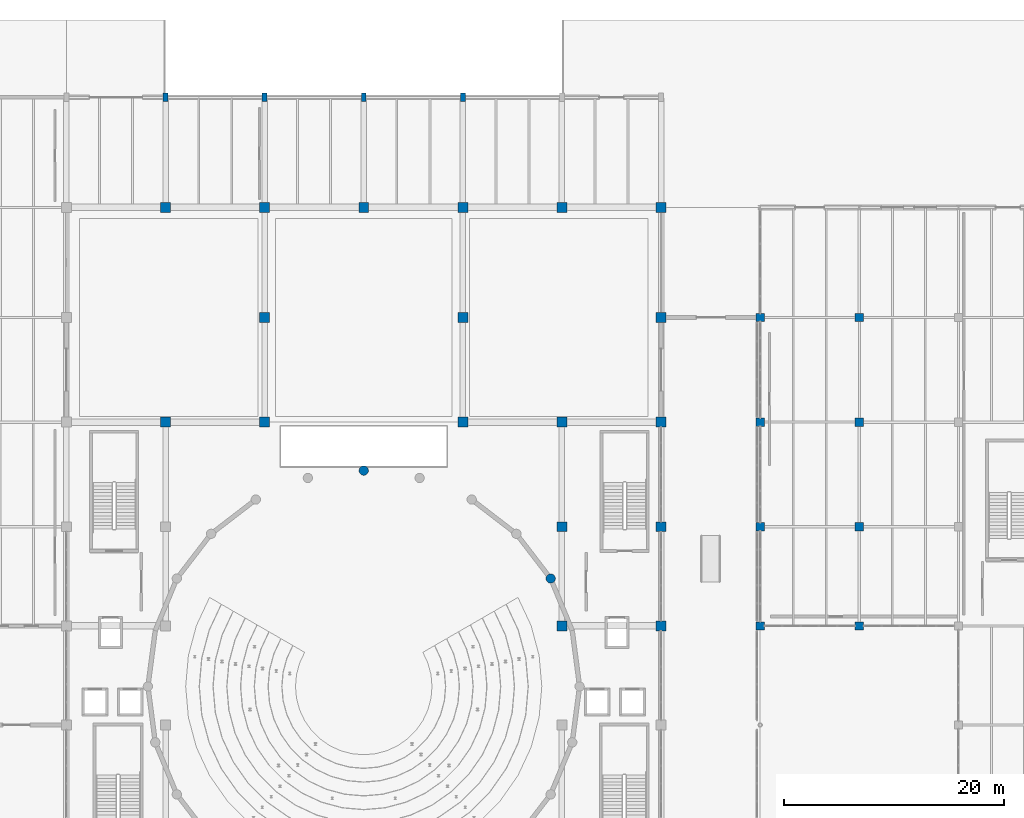
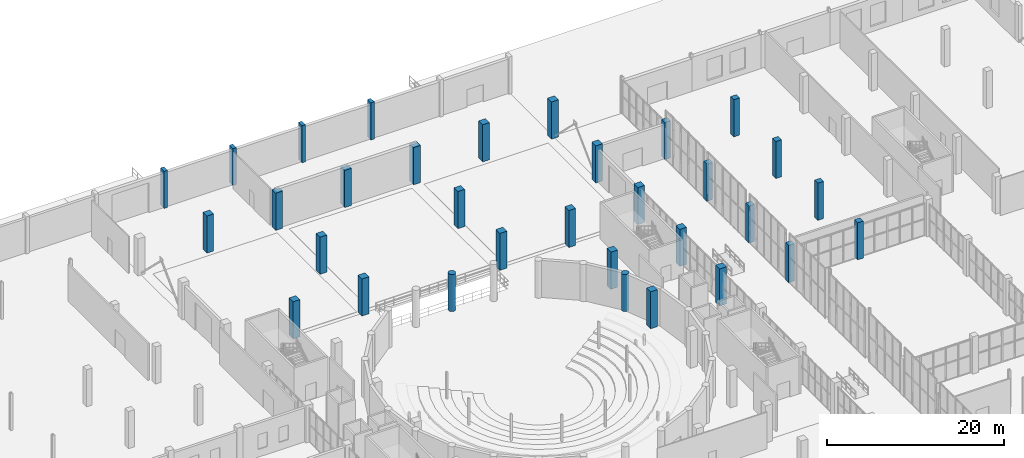
# One storey, part 23 of 103: 32 columns.
"""IFC4 building model written with IfcOpenShell, lengths in metres."""

from ifc_helpers import new_model, si_unit, direction, frame, origin, origin_2d, place, context, subcontext, project, spatial, rectangle, circle, extrude, material, material_profile, profile_set, type_object, element, save


model = new_model("IFC4")

# Units and contexts
model_context = context("Model", 3, precision=1e-05, world=origin(), true_north=direction((0.0, 1.0)))
body_context = subcontext(model_context, "Body", "Model", "MODEL_VIEW")
ifc_project = project(units=[si_unit("LENGTHUNIT", "METRE"), si_unit("AREAUNIT", "SQUARE_METRE"), si_unit("VOLUMEUNIT", "CUBIC_METRE"), si_unit("PLANEANGLEUNIT", "RADIAN"), si_unit("MASSUNIT", "GRAM", prefix="KILO")], contexts=[model_context])

# Site, building, storey
site_placement = place(None, origin())
site = spatial("IfcSite", under=ifc_project, at=site_placement, CompositionType="ELEMENT")
building_placement = place(site_placement, origin())
building = spatial("IfcBuilding", under=site, at=building_placement, Name="Marnock Terrace Opera House", CompositionType="ELEMENT")
storey_placement = place(building_placement, origin())
storey = spatial("IfcBuildingStorey", under=building, at=storey_placement, Name="L00", CompositionType="ELEMENT", Elevation=0.0)

# Columns
ifc_material_1 = material(Name="Concrete N50 (f'c = 50 MPa)", Category="concrete")
ifc_material_profile_1 = material_profile(ifc_material_1, circle(Radius=0.425048828125, at=origin_2d()))
ifc_profile_set_1 = profile_set([ifc_material_profile_1], Name="Concrete N50 (f'c = 50 MPa)")
column_type_1 = type_object("IfcColumnType", Name="COL-DRUM-850", PredefinedType="COLUMN", material=ifc_profile_set_1)
for number, where, z_axis, x_axis, name in (
    (1, (98.97412109375, 70.300048828125, 0.0), (0.0, 0.0, 1.0), (1.0, 0.0, 0.0), "L00 auditorium drum pier 3"),
    (2, (82.0, 80.10009765625, 0.0), (0.0, 0.0, 1.0), (1.0, 0.0, 0.0), "L00 auditorium drum pier 7"),
):
    element("IfcColumn", number, at=place(storey_placement, frame(where, z_axis=z_axis, x_axis=x_axis)), inside=storey, type_object=column_type_1, Name=name, PredefinedType="COLUMN", context=body_context, shape_type="SweptSolid", body=[
        extrude(circle(Radius=0.425048828125, at=origin_2d()), origin(), (0.0, 0.0, 1.0), 5.1201171875),
    ])
ifc_material_2 = material(Name="Concrete N40 (f'c = 40 MPa)", Category="concrete")
ifc_material_profile_2 = material_profile(ifc_material_2, rectangle(XDim=0.449951171875, YDim=0.800048828125, at=origin_2d()))
ifc_profile_set_2 = profile_set([ifc_material_profile_2], Name="Concrete N40 (f'c = 40 MPa)")
column_type_2 = type_object("IfcColumnType", Name="COL-PIL-800", PredefinedType="PILASTER", material=ifc_profile_set_2)
for number, where, z_axis, x_axis, name in (
    (3, (64.0, 114.0, 0.0), (0.0, 0.0, 1.0), (1.0, 0.0, 0.0), "L00 column at (64.0, 114.0)"),
    (4, (73.0, 114.0, 0.0), (0.0, 0.0, 1.0), (1.0, 0.0, 0.0), "L00 column at (73.0, 114.0)"),
    (5, (82.0, 114.0, 0.0), (0.0, 0.0, 1.0), (1.0, 0.0, 0.0), "L00 column at (82.0, 114.0)"),
    (6, (91.0, 114.0, 0.0), (0.0, 0.0, 1.0), (1.0, 0.0, 0.0), "L00 column at (91.0, 114.0)"),
):
    element("IfcColumn", number, at=place(storey_placement, frame(where, z_axis=z_axis, x_axis=x_axis)), inside=storey, type_object=column_type_2, Name=name, PredefinedType="PILASTER", context=body_context, shape_type="SweptSolid", body=[
        extrude(rectangle(XDim=0.449951171875, YDim=0.800048828125, at=origin_2d()), origin(), (0.0, 0.0, 1.0), 5.1201171875),
    ])
ifc_material_profile_3 = material_profile(ifc_material_1, rectangle(XDim=0.75, YDim=0.75, at=origin_2d()))
ifc_profile_set_3 = profile_set([ifc_material_profile_3], Name="Concrete N50 (f'c = 50 MPa)")
column_type_3 = type_object("IfcColumnType", Name="COL-RC750", PredefinedType="COLUMN", material=ifc_profile_set_3)
for number, where, z_axis, x_axis, name in (
    (7, (118.0, 66.0, 0.0), (0.0, 0.0, 1.0), (1.0, 0.0, 0.0), "L00 column at (118.0, 66.0)"),
    (8, (118.0, 75.0, 0.0), (0.0, 0.0, 1.0), (1.0, 0.0, 0.0), "L00 column at (118.0, 75.0)"),
    (9, (118.0, 84.5, 0.0), (0.0, 0.0, 1.0), (1.0, 0.0, 0.0), "L00 column at (118.0, 84.5)"),
    (10, (118.0, 94.0, 0.0), (0.0, 0.0, 1.0), (1.0, 0.0, 0.0), "L00 column at (118.0, 94.0)"),
    (11, (127.0, 66.0, 0.0), (0.0, 0.0, 1.0), (1.0, 0.0, 0.0), "L00 column at (127.0, 66.0)"),
    (12, (127.0, 75.0, 0.0), (0.0, 0.0, 1.0), (1.0, 0.0, 0.0), "L00 column at (127.0, 75.0)"),
    (13, (127.0, 84.5, 0.0), (0.0, 0.0, 1.0), (1.0, 0.0, 0.0), "L00 column at (127.0, 84.5)"),
    (14, (127.0, 94.0, 0.0), (0.0, 0.0, 1.0), (1.0, 0.0, 0.0), "L00 column at (127.0, 94.0)"),
):
    element("IfcColumn", number, at=place(storey_placement, frame(where, z_axis=z_axis, x_axis=x_axis)), inside=storey, type_object=column_type_3, Name=name, PredefinedType="COLUMN", context=body_context, shape_type="SweptSolid", body=[
        extrude(rectangle(XDim=0.75, YDim=0.75, at=origin_2d()), origin(), (0.0, 0.0, 1.0), 5.1201171875),
    ])
ifc_material_profile_4 = material_profile(ifc_material_1, rectangle(XDim=0.89990234375, YDim=0.89990234375, at=origin_2d()))
ifc_profile_set_4 = profile_set([ifc_material_profile_4], Name="Concrete N50 (f'c = 50 MPa)")
column_type_4 = type_object("IfcColumnType", Name="COL-RC900", PredefinedType="COLUMN", material=ifc_profile_set_4)
for number, where, z_axis, x_axis, name in (
    (15, (64.0, 84.5, 0.0), (0.0, 0.0, 1.0), (1.0, 0.0, 0.0), "L00 column at (64.0, 84.5)"),
    (16, (64.0, 104.0, 0.0), (0.0, 0.0, 1.0), (1.0, 0.0, 0.0), "L00 column at (64.0, 104.0)"),
    (17, (73.0, 84.5, 0.0), (0.0, 0.0, 1.0), (1.0, 0.0, 0.0), "L00 column at (73.0, 84.5)"),
    (18, (73.0, 94.0, 0.0), (0.0, 0.0, 1.0), (1.0, 0.0, 0.0), "L00 column at (73.0, 94.0)"),
    (19, (73.0, 104.0, 0.0), (0.0, 0.0, 1.0), (1.0, 0.0, 0.0), "L00 column at (73.0, 104.0)"),
    (20, (82.0, 104.0, 0.0), (0.0, 0.0, 1.0), (1.0, 0.0, 0.0), "L00 column at (82.0, 104.0)"),
    (21, (91.0, 84.5, 0.0), (0.0, 0.0, 1.0), (1.0, 0.0, 0.0), "L00 column at (91.0, 84.5)"),
    (22, (91.0, 94.0, 0.0), (0.0, 0.0, 1.0), (1.0, 0.0, 0.0), "L00 column at (91.0, 94.0)"),
    (23, (91.0, 104.0, 0.0), (0.0, 0.0, 1.0), (1.0, 0.0, 0.0), "L00 column at (91.0, 104.0)"),
    (24, (100.0, 66.0, 0.0), (0.0, 0.0, 1.0), (1.0, 0.0, 0.0), "L00 column at (100.0, 66.0)"),
    (25, (100.0, 75.0, 0.0), (0.0, 0.0, 1.0), (1.0, 0.0, 0.0), "L00 column at (100.0, 75.0)"),
    (26, (100.0, 84.5, 0.0), (0.0, 0.0, 1.0), (1.0, 0.0, 0.0), "L00 column at (100.0, 84.5)"),
    (27, (100.0, 104.0, 0.0), (0.0, 0.0, 1.0), (1.0, 0.0, 0.0), "L00 column at (100.0, 104.0)"),
    (28, (109.0, 66.0, 0.0), (0.0, 0.0, 1.0), (1.0, 0.0, 0.0), "L00 column at (109.0, 66.0)"),
    (29, (109.0, 75.0, 0.0), (0.0, 0.0, 1.0), (1.0, 0.0, 0.0), "L00 column at (109.0, 75.0)"),
    (30, (109.0, 84.5, 0.0), (0.0, 0.0, 1.0), (1.0, 0.0, 0.0), "L00 column at (109.0, 84.5)"),
    (31, (109.0, 94.0, 0.0), (0.0, 0.0, 1.0), (1.0, 0.0, 0.0), "L00 column at (109.0, 94.0)"),
    (32, (109.0, 104.0, 0.0), (0.0, 0.0, 1.0), (1.0, 0.0, 0.0), "L00 column at (109.0, 104.0)"),
):
    element("IfcColumn", number, at=place(storey_placement, frame(where, z_axis=z_axis, x_axis=x_axis)), inside=storey, type_object=column_type_4, Name=name, PredefinedType="COLUMN", context=body_context, shape_type="SweptSolid", body=[
        extrude(rectangle(XDim=0.89990234375, YDim=0.89990234375, at=origin_2d()), origin(), (0.0, 0.0, 1.0), 5.1201171875),
    ])

save(model, "model.ifc")
